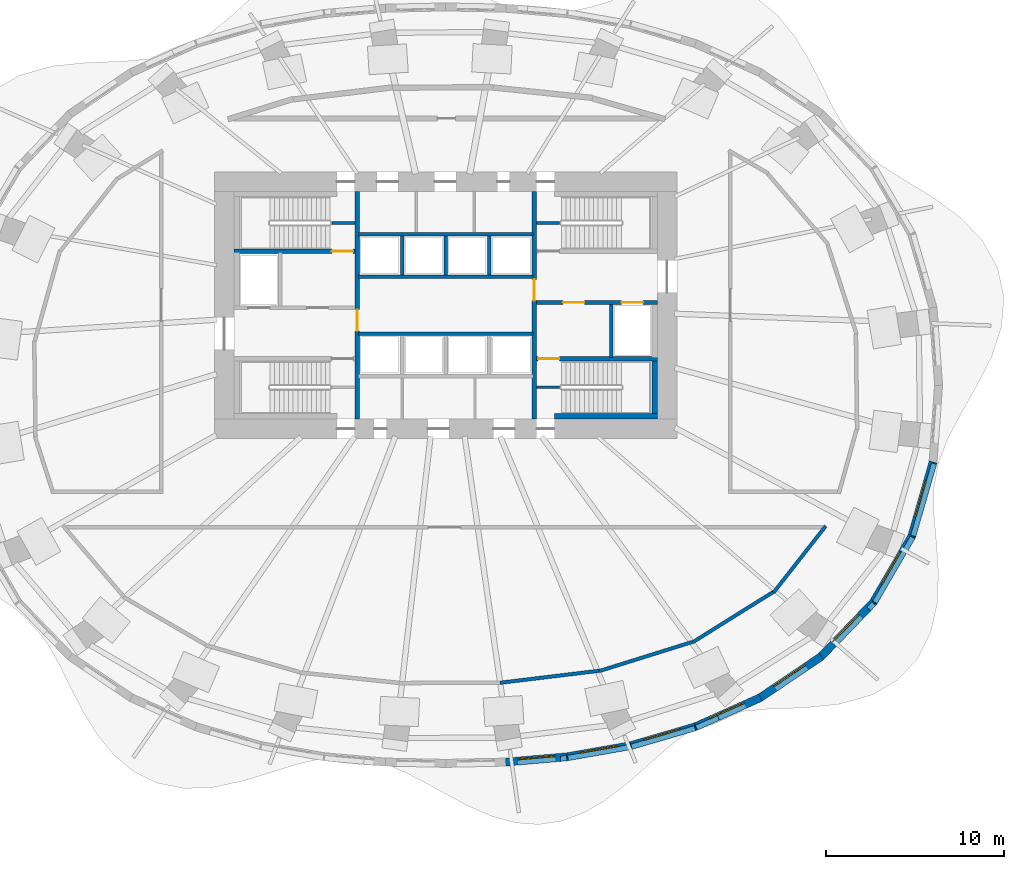
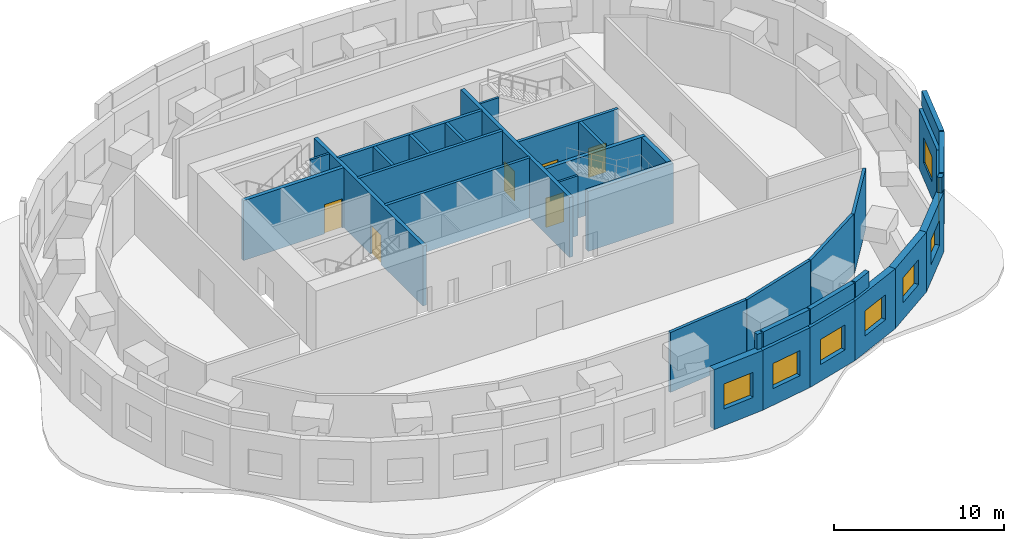
# One storey, part 5 of 9: 36 walls, 8 windows, 6 doors, 14 openings.
"""IFC4 building model written with IfcOpenShell, lengths in metres."""

from ifc_helpers import new_model, si_unit, direction, frame, frame_2d, origin, place, context, subcontext, project, spatial, rectangle, extrude, material, layer, layer_set, type_object, element, fill, save


model = new_model("IFC4")

# Units and contexts
model_context = context("Model", 3, precision=1e-05, world=origin(), true_north=direction((0.0, 1.0)))
body_context = subcontext(model_context, "Body", "Model", "MODEL_VIEW")
ifc_project = project(units=[si_unit("LENGTHUNIT", "METRE"), si_unit("AREAUNIT", "SQUARE_METRE"), si_unit("VOLUMEUNIT", "CUBIC_METRE"), si_unit("PLANEANGLEUNIT", "RADIAN"), si_unit("MASSUNIT", "GRAM", prefix="KILO")], contexts=[model_context])

# Site, building, storey
site_placement = place(None, origin())
site = spatial("IfcSite", under=ifc_project, at=site_placement, CompositionType="ELEMENT")
building_placement = place(site_placement, origin())
building = spatial("IfcBuilding", under=site, at=building_placement, Name="Rubra Terraces Tower", CompositionType="ELEMENT")
storey_placement = place(building_placement, frame((0.0, 0.0, 77.10009765625)))
storey = spatial("IfcBuildingStorey", under=building, at=storey_placement, Name="L17", CompositionType="ELEMENT", Elevation=77.10009765625)

# Wall, opening, window
ifc_material_1 = material(Name="Brick masonry red-brown", Category="masonry")
ifc_layer_1 = layer(ifc_material_1, 0.449951171875)
ifc_layer_set_1 = layer_set([ifc_layer_1], Name="Brick masonry red-brown")
wall_type_1 = type_object("IfcWallType", Name="Brick facade wall 450", PredefinedType="SOLIDWALL", material=ifc_layer_set_1)
wall_1_placement = place(storey_placement, frame((3.37451171875, -21.202880859375, 0.0), z_axis=(0.0, 0.0, 1.0), x_axis=(0.99625818993, 0.086426957587, 0.0)))
wall_1 = element("IfcWall", 1, at=wall_1_placement, inside=storey, type_object=wall_type_1, Name="Facade wall L17 bay 32", PredefinedType="SOLIDWALL", context=body_context, shape_type="SweptSolid", body=[
    extrude(rectangle(XDim=3.48291015625, YDim=0.449951171875, at=frame_2d((1.741455078125, 0.0))), origin(), (0.0, 0.0, 1.0), 4.2998046875),
])
opening_1_placement = place(wall_1_placement, frame((0.69140625, 0.0, 1.199951171875)))
opening_1 = element("IfcOpeningElement", 2, at=opening_1_placement, cuts=wall_1, Name="Opening W4", PredefinedType="OPENING", context=body_context, shape_type="SweptSolid", body=[
    extrude(rectangle(XDim=2.10009765625, YDim=1.800048828125, at=frame_2d((1.050048828125, 0.89990234375))), frame((0.0, 0.23486328125, 0.0), z_axis=(0.0, -1.0, 0.0), x_axis=(1.0, 0.0, 0.0)), (0.0, 0.0, 1.0), 0.469970703125),
])
ifc_material_2 = material(Name="Clear glass in aluminium frame", Category="aluminium")
window_type = type_object("IfcWindowType", Name="Louvred plant window 2100 x 1800", PartitioningType="SINGLE_PANEL", PredefinedType="WINDOW", material=ifc_material_2)
window_1_placement = place(opening_1_placement, origin())
window_1 = element("IfcWindow", 3, at=window_1_placement, inside=storey, type_object=window_type, Name="Window L17 bay 32", OverallHeight=1.800048828125, OverallWidth=2.10009765625, PartitioningType="SINGLE_PANEL", PredefinedType="WINDOW", context=body_context, shape_type="SweptSolid", body=[
    extrude(rectangle(XDim=2.10009765625, YDim=1.800048828125, at=frame_2d((1.050048828125, 0.89990234375))), frame((0.0, 0.135009765625, 0.0), z_axis=(0.0, -1.0, 0.0), x_axis=(1.0, 0.0, 0.0)), (0.0, 0.0, 1.0), 0.06005859375),
])
fill(opening_1, window_1)

wall_2_placement = place(storey_placement, frame((6.8251953125, -20.904296875, 0.0), z_axis=(0.0, 0.0, 1.0), x_axis=(0.984962239205, 0.172769752386, 0.0)))
wall_2 = element("IfcWall", 4, at=wall_2_placement, inside=storey, type_object=wall_type_1, Name="Facade wall L17 bay 33", PredefinedType="SOLIDWALL", context=body_context, shape_type="SweptSolid", body=[
    extrude(rectangle(XDim=3.634521484375, YDim=0.449951171875, at=frame_2d((1.8173828125, 0.0))), origin(), (0.0, 0.0, 1.0), 4.2998046875),
])
opening_2_placement = place(wall_2_placement, frame((0.767333984375, 0.0, 1.199951171875)))
opening_2 = element("IfcOpeningElement", 5, at=opening_2_placement, cuts=wall_2, Name="Opening W4", PredefinedType="OPENING", context=body_context, shape_type="SweptSolid", body=[
    extrude(rectangle(XDim=2.10009765625, YDim=1.800048828125, at=frame_2d((1.050048828125, 0.89990234375))), frame((0.0, 0.23486328125, 0.0), z_axis=(0.0, -1.0, 0.0), x_axis=(1.0, 0.0, 0.0)), (0.0, 0.0, 1.0), 0.469970703125),
])
window_2_placement = place(opening_2_placement, origin())
window_2 = element("IfcWindow", 6, at=window_2_placement, inside=storey, type_object=window_type, Name="Window L17 bay 33", OverallHeight=1.800048828125, OverallWidth=2.10009765625, PartitioningType="SINGLE_PANEL", PredefinedType="WINDOW", context=body_context, shape_type="SweptSolid", body=[
    extrude(rectangle(XDim=2.10009765625, YDim=1.800048828125, at=frame_2d((1.050048828125, 0.89990234375))), frame((0.0, 0.135009765625, 0.0), z_axis=(0.0, -1.0, 0.0), x_axis=(1.0, 0.0, 0.0)), (0.0, 0.0, 1.0), 0.06005859375),
])
fill(opening_2, window_2)

wall_3_placement = place(storey_placement, frame((10.381103515625, -20.281982421875, 0.0), z_axis=(0.0, 0.0, 1.0), x_axis=(0.960131452472, 0.279548911594, 0.0)))
wall_3 = element("IfcWall", 7, at=wall_3_placement, inside=storey, type_object=wall_type_1, Name="Facade wall L17 bay 34", PredefinedType="SOLIDWALL", context=body_context, shape_type="SweptSolid", body=[
    extrude(rectangle(XDim=3.824462890625, YDim=0.449951171875, at=frame_2d((1.912109375, 0.0))), origin(), (0.0, 0.0, 1.0), 4.2998046875),
])
opening_3_placement = place(wall_3_placement, frame((0.8623046875, 0.0, 1.199951171875)))
opening_3 = element("IfcOpeningElement", 8, at=opening_3_placement, cuts=wall_3, Name="Opening W4", PredefinedType="OPENING", context=body_context, shape_type="SweptSolid", body=[
    extrude(rectangle(XDim=2.10009765625, YDim=1.800048828125, at=frame_2d((1.050048828125, 0.89990234375))), frame((0.0, 0.23486328125, 0.0), z_axis=(0.0, -1.0, 0.0), x_axis=(1.0, 0.0, 0.0)), (0.0, 0.0, 1.0), 0.469970703125),
])
window_3_placement = place(opening_3_placement, origin())
window_3 = element("IfcWindow", 9, at=window_3_placement, inside=storey, type_object=window_type, Name="Window L17 bay 34", OverallHeight=1.800048828125, OverallWidth=2.10009765625, PartitioningType="SINGLE_PANEL", PredefinedType="WINDOW", context=body_context, shape_type="SweptSolid", body=[
    extrude(rectangle(XDim=2.10009765625, YDim=1.800048828125, at=frame_2d((1.050048828125, 0.89990234375))), frame((0.0, 0.135009765625, 0.0), z_axis=(0.0, -1.0, 0.0), x_axis=(1.0, 0.0, 0.0)), (0.0, 0.0, 1.0), 0.06005859375),
])
fill(opening_3, window_3)

wall_4_placement = place(storey_placement, frame((14.02392578125, -19.2236328125, 0.0), z_axis=(0.0, 0.0, 1.0), x_axis=(0.912580432801, 0.408897240966, 0.0)))
wall_4 = element("IfcWall", 10, at=wall_4_placement, inside=storey, type_object=wall_type_1, Name="Facade wall L17 bay 35", PredefinedType="SOLIDWALL", context=body_context, shape_type="SweptSolid", body=[
    extrude(rectangle(XDim=4.020751953125, YDim=0.449951171875, at=frame_2d((2.01025390625, 0.0))), origin(), (0.0, 0.0, 1.0), 4.2998046875),
])
opening_4_placement = place(wall_4_placement, frame((0.960205078125, 0.0, 1.199951171875)))
opening_4 = element("IfcOpeningElement", 11, at=opening_4_placement, cuts=wall_4, Name="Opening W4", PredefinedType="OPENING", context=body_context, shape_type="SweptSolid", body=[
    extrude(rectangle(XDim=2.10009765625, YDim=1.800048828125, at=frame_2d((1.050048828125, 0.89990234375))), frame((0.0, 0.23486328125, 0.0), z_axis=(0.0, -1.0, 0.0), x_axis=(1.0, 0.0, 0.0)), (0.0, 0.0, 1.0), 0.469970703125),
])
window_4_placement = place(opening_4_placement, origin())
window_4 = element("IfcWindow", 12, at=window_4_placement, inside=storey, type_object=window_type, Name="Window L17 bay 35", OverallHeight=1.800048828125, OverallWidth=2.10009765625, PartitioningType="SINGLE_PANEL", PredefinedType="WINDOW", context=body_context, shape_type="SweptSolid", body=[
    extrude(rectangle(XDim=2.10009765625, YDim=1.800048828125, at=frame_2d((1.050048828125, 0.89990234375))), frame((0.0, 0.135009765625, 0.0), z_axis=(0.0, -1.0, 0.0), x_axis=(1.0, 0.0, 0.0)), (0.0, 0.0, 1.0), 0.06005859375),
])
fill(opening_4, window_4)

wall_5_placement = place(storey_placement, frame((17.6591796875, -17.598388671875, 0.0), z_axis=(0.0, 0.0, 1.0), x_axis=(0.829077786947, 0.559133278557, 0.0)))
wall_5 = element("IfcWall", 13, at=wall_5_placement, inside=storey, type_object=wall_type_1, Name="Facade wall L17 bay 36", PredefinedType="SOLIDWALL", context=body_context, shape_type="SweptSolid", body=[
    extrude(rectangle(XDim=4.1865234375, YDim=0.449951171875, at=frame_2d((2.09326171875, 0.0))), origin(), (0.0, 0.0, 1.0), 4.2998046875),
])
opening_5_placement = place(wall_5_placement, frame((1.043212890625, 0.0, 1.199951171875)))
opening_5 = element("IfcOpeningElement", 14, at=opening_5_placement, cuts=wall_5, Name="Opening W4", PredefinedType="OPENING", context=body_context, shape_type="SweptSolid", body=[
    extrude(rectangle(XDim=2.10009765625, YDim=1.800048828125, at=frame_2d((1.050048828125, 0.89990234375))), frame((0.0, 0.23486328125, 0.0), z_axis=(0.0, -1.0, 0.0), x_axis=(1.0, 0.0, 0.0)), (0.0, 0.0, 1.0), 0.469970703125),
])
window_5_placement = place(opening_5_placement, origin())
window_5 = element("IfcWindow", 15, at=window_5_placement, inside=storey, type_object=window_type, Name="Window L17 bay 36", OverallHeight=1.800048828125, OverallWidth=2.10009765625, PartitioningType="SINGLE_PANEL", PredefinedType="WINDOW", context=body_context, shape_type="SweptSolid", body=[
    extrude(rectangle(XDim=2.10009765625, YDim=1.800048828125, at=frame_2d((1.050048828125, 0.89990234375))), frame((0.0, 0.135009765625, 0.0), z_axis=(0.0, -1.0, 0.0), x_axis=(1.0, 0.0, 0.0)), (0.0, 0.0, 1.0), 0.06005859375),
])
fill(opening_5, window_5)

wall_6_placement = place(storey_placement, frame((21.093994140625, -15.287841796875, 0.0), z_axis=(0.0, 0.0, 1.0), x_axis=(0.69406513137, 0.719912212298, 0.0)))
wall_6 = element("IfcWall", 16, at=wall_6_placement, inside=storey, type_object=wall_type_1, Name="Facade wall L17 bay 37", PredefinedType="SOLIDWALL", context=body_context, shape_type="SweptSolid", body=[
    extrude(rectangle(XDim=4.2978515625, YDim=0.449951171875, at=frame_2d((2.14892578125, 0.0))), origin(), (0.0, 0.0, 1.0), 4.2998046875),
])
opening_6_placement = place(wall_6_placement, frame((1.098876953125, 0.0, 1.199951171875)))
opening_6 = element("IfcOpeningElement", 17, at=opening_6_placement, cuts=wall_6, Name="Opening W4", PredefinedType="OPENING", context=body_context, shape_type="SweptSolid", body=[
    extrude(rectangle(XDim=2.10009765625, YDim=1.800048828125, at=frame_2d((1.050048828125, 0.89990234375))), frame((0.0, 0.23486328125, 0.0), z_axis=(0.0, -1.0, 0.0), x_axis=(1.0, 0.0, 0.0)), (0.0, 0.0, 1.0), 0.469970703125),
])
window_6_placement = place(opening_6_placement, origin())
window_6 = element("IfcWindow", 18, at=window_6_placement, inside=storey, type_object=window_type, Name="Window L17 bay 37", OverallHeight=1.800048828125, OverallWidth=2.10009765625, PartitioningType="SINGLE_PANEL", PredefinedType="WINDOW", context=body_context, shape_type="SweptSolid", body=[
    extrude(rectangle(XDim=2.10009765625, YDim=1.800048828125, at=frame_2d((1.050048828125, 0.89990234375))), frame((0.0, 0.135009765625, 0.0), z_axis=(0.0, -1.0, 0.0), x_axis=(1.0, 0.0, 0.0)), (0.0, 0.0, 1.0), 0.06005859375),
])
fill(opening_6, window_6)

wall_7_placement = place(storey_placement, frame((24.04443359375, -12.237060546875, 0.0), z_axis=(0.0, 0.0, 1.0), x_axis=(0.502203169453, 0.864749661227, 0.0)))
wall_7 = element("IfcWall", 19, at=wall_7_placement, inside=storey, type_object=wall_type_1, Name="Facade wall L17 bay 38", PredefinedType="SOLIDWALL", context=body_context, shape_type="SweptSolid", body=[
    extrude(rectangle(XDim=4.352783203125, YDim=0.449951171875, at=frame_2d((2.17626953125, 0.0))), origin(), (0.0, 0.0, 1.0), 4.2998046875),
])
opening_7_placement = place(wall_7_placement, frame((1.12646484375, 0.0, 1.199951171875)))
opening_7 = element("IfcOpeningElement", 20, at=opening_7_placement, cuts=wall_7, Name="Opening W4", PredefinedType="OPENING", context=body_context, shape_type="SweptSolid", body=[
    extrude(rectangle(XDim=2.10009765625, YDim=1.800048828125, at=frame_2d((1.050048828125, 0.89990234375))), frame((0.0, 0.23486328125, 0.0), z_axis=(0.0, -1.0, 0.0), x_axis=(1.0, 0.0, 0.0)), (0.0, 0.0, 1.0), 0.469970703125),
])
window_7_placement = place(opening_7_placement, origin())
window_7 = element("IfcWindow", 21, at=window_7_placement, inside=storey, type_object=window_type, Name="Window L17 bay 38", OverallHeight=1.800048828125, OverallWidth=2.10009765625, PartitioningType="SINGLE_PANEL", PredefinedType="WINDOW", context=body_context, shape_type="SweptSolid", body=[
    extrude(rectangle(XDim=2.10009765625, YDim=1.800048828125, at=frame_2d((1.050048828125, 0.89990234375))), frame((0.0, 0.135009765625, 0.0), z_axis=(0.0, -1.0, 0.0), x_axis=(1.0, 0.0, 0.0)), (0.0, 0.0, 1.0), 0.06005859375),
])
fill(opening_7, window_7)

wall_8_placement = place(storey_placement, frame((26.208740234375, -8.523681640625, 0.0), z_axis=(0.0, 0.0, 1.0), x_axis=(0.276281679347, 0.961076705397, 0.0)))
wall_8 = element("IfcWall", 22, at=wall_8_placement, inside=storey, type_object=wall_type_1, Name="Facade wall L17 bay 39", PredefinedType="SOLIDWALL", context=body_context, shape_type="SweptSolid", body=[
    extrude(rectangle(XDim=4.37939453125, YDim=0.449951171875, at=frame_2d((2.189697265625, 0.0))), origin(), (0.0, 0.0, 1.0), 4.2998046875),
])
opening_8_placement = place(wall_8_placement, frame((1.1396484375, 0.0, 1.199951171875)))
opening_8 = element("IfcOpeningElement", 23, at=opening_8_placement, cuts=wall_8, Name="Opening W4", PredefinedType="OPENING", context=body_context, shape_type="SweptSolid", body=[
    extrude(rectangle(XDim=2.10009765625, YDim=1.800048828125, at=frame_2d((1.050048828125, 0.89990234375))), frame((0.0, 0.23486328125, 0.0), z_axis=(0.0, -1.0, 0.0), x_axis=(1.0, 0.0, 0.0)), (0.0, 0.0, 1.0), 0.469970703125),
])
window_8_placement = place(opening_8_placement, origin())
window_8 = element("IfcWindow", 24, at=window_8_placement, inside=storey, type_object=window_type, Name="Window L17 bay 39", OverallHeight=1.800048828125, OverallWidth=2.10009765625, PartitioningType="SINGLE_PANEL", PredefinedType="WINDOW", context=body_context, shape_type="SweptSolid", body=[
    extrude(rectangle(XDim=2.10009765625, YDim=1.800048828125, at=frame_2d((1.050048828125, 0.89990234375))), frame((0.0, 0.135009765625, 0.0), z_axis=(0.0, -1.0, 0.0), x_axis=(1.0, 0.0, 0.0)), (0.0, 0.0, 1.0), 0.06005859375),
])
fill(opening_8, window_8)

# Walls
ifc_layer_2 = layer(ifc_material_1, 0.300048828125)
ifc_layer_set_2 = layer_set([ifc_layer_2], Name="Brick masonry red-brown")
wall_type_2 = type_object("IfcWallType", Name="Brick parapet 300", PredefinedType="PARAPET", material=ifc_layer_set_2)
wall_9_placement = place(storey_placement, frame((6.453125, -21.010986328125, 4.5), z_axis=(0.0, 0.0, 1.0), x_axis=(0.996266255014, 0.086333939568, 0.0)))
element("IfcWall", 25, at=wall_9_placement, inside=storey, type_object=wall_type_2, Name="Parapet L17 bay 32", PredefinedType="PARAPET", context=body_context, shape_type="SweptSolid", body=[
    extrude(rectangle(XDim=0.356201171875, YDim=0.300048828125, at=frame_2d((0.17822265625, 0.0))), origin(), (0.0, 0.0, 1.0), 1.099853515625),
])
wall_10_placement = place(storey_placement, frame((6.880615234375, -20.970703125, 4.5), z_axis=(0.0, 0.0, 1.0), x_axis=(0.984970182858, 0.172724459419, 0.0)))
element("IfcWall", 26, at=wall_10_placement, inside=storey, type_object=wall_type_2, Name="Parapet L17 bay 33", PredefinedType="PARAPET", context=body_context, shape_type="SweptSolid", body=[
    extrude(rectangle(XDim=3.544921875, YDim=0.300048828125, at=frame_2d((1.7724609375, 0.0))), origin(), (0.0, 0.0, 1.0), 1.099853515625),
])
wall_11_placement = place(storey_placement, frame((10.44677734375, -20.341064453125, 4.5), z_axis=(0.0, 0.0, 1.0), x_axis=(0.960145130593, 0.279501928792, 0.0)))
element("IfcWall", 27, at=wall_11_placement, inside=storey, type_object=wall_type_2, Name="Parapet L17 bay 34", PredefinedType="PARAPET", context=body_context, shape_type="SweptSolid", body=[
    extrude(rectangle(XDim=3.72705078125, YDim=0.300048828125, at=frame_2d((1.863525390625, 0.0))), origin(), (0.0, 0.0, 1.0), 1.099853515625),
])
wall_12_placement = place(storey_placement, frame((14.100830078125, -19.271484375, 4.5), z_axis=(0.0, 0.0, 1.0), x_axis=(0.912553319429, 0.408957747449, 0.0)))
element("IfcWall", 28, at=wall_12_placement, inside=storey, type_object=wall_type_2, Name="Parapet L17 bay 35", PredefinedType="PARAPET", context=body_context, shape_type="SweptSolid", body=[
    extrude(rectangle(XDim=1.35693359375, YDim=0.300048828125, at=frame_2d((0.678466796875, 0.0))), origin(), (0.0, 0.0, 1.0), 1.099853515625),
])
wall_13_placement = place(storey_placement, frame((23.80419921875, -12.5849609375, 4.5), z_axis=(0.0, 0.0, 1.0), x_axis=(0.694012708719, 0.719962749132, 0.0)))
element("IfcWall", 29, at=wall_13_placement, inside=storey, type_object=wall_type_2, Name="Parapet L17 bay 37", PredefinedType="PARAPET", context=body_context, shape_type="SweptSolid", body=[
    extrude(rectangle(XDim=0.404541015625, YDim=0.300048828125, at=frame_2d((0.2021484375, 0.0))), origin(), (0.0, 0.0, 1.0), 1.099853515625),
])
wall_14_placement = place(storey_placement, frame((24.142578125, -12.21728515625, 4.5), z_axis=(0.0, 0.0, 1.0), x_axis=(0.502258354831, 0.864717609976, 0.0)))
element("IfcWall", 30, at=wall_14_placement, inside=storey, type_object=wall_type_2, Name="Parapet L17 bay 38", PredefinedType="PARAPET", context=body_context, shape_type="SweptSolid", body=[
    extrude(rectangle(XDim=4.21923828125, YDim=0.300048828125, at=frame_2d((2.109619140625, 0.0))), origin(), (0.0, 0.0, 1.0), 1.099853515625),
])
wall_15_placement = place(storey_placement, frame((26.29931640625, -8.47998046875, 4.5), z_axis=(0.0, 0.0, 1.0), x_axis=(0.276312084061, 0.961067964403, 0.0)))
element("IfcWall", 31, at=wall_15_placement, inside=storey, type_object=wall_type_2, Name="Parapet L17 bay 39", PredefinedType="PARAPET", context=body_context, shape_type="SweptSolid", body=[
    extrude(rectangle(XDim=4.23486328125, YDim=0.300048828125, at=frame_2d((2.117431640625, 0.0))), origin(), (0.0, 0.0, 1.0), 1.099853515625),
])
ifc_material_3 = material(Name="Concrete C40", Category="concrete")
ifc_layer_3 = layer(ifc_material_3, 0.300048828125)
ifc_layer_set_3 = layer_set([ifc_layer_3], Name="Concrete C40")
wall_type_3 = type_object("IfcWallType", Name="Core lining wall 300 concrete", PredefinedType="SOLIDWALL", material=ifc_layer_set_3)
wall_16_placement = place(storey_placement, frame((11.75, 1.35009765625, 0.0), z_axis=(0.0, 0.0, 1.0), x_axis=(0.0, -1.0, 0.0)))
element("IfcWall", 32, at=wall_16_placement, inside=storey, type_object=wall_type_3, Name="CORE LINING WALL L17", PredefinedType="SOLIDWALL", context=body_context, shape_type="SweptSolid", body=[
    extrude(rectangle(XDim=2.9501953125, YDim=0.300048828125, at=frame_2d((1.47509765625, 0.0))), origin(), (0.0, 0.0, 1.0), 4.2998046875),
])
wall_17_placement = place(storey_placement, frame((11.89990234375, -1.75, 0.0), z_axis=(0.0, 0.0, 1.0), x_axis=(-1.0, 0.0, 0.0)))
element("IfcWall", 33, at=wall_17_placement, inside=storey, type_object=wall_type_3, Name="CORE LINING WALL L17", PredefinedType="SOLIDWALL", context=body_context, shape_type="SweptSolid", body=[
    extrude(rectangle(XDim=5.77978515625, YDim=0.300048828125, at=frame_2d((2.889892578125, 0.0))), origin(), (0.0, 0.0, 1.0), 4.2998046875),
])

# Wall, openings, doors
ifc_material_4 = material(Name="Concrete C30", Category="concrete")
ifc_layer_4 = layer(ifc_material_4, 0.199951171875)
ifc_layer_set_4 = layer_set([ifc_layer_4], Name="Concrete C30")
wall_type_4 = type_object("IfcWallType", Name="Core wall 200 concrete", PredefinedType="SOLIDWALL", material=ifc_layer_set_4)
wall_18_placement = place(storey_placement, frame((11.89990234375, 4.64990234375, 0.0), z_axis=(0.0, 0.0, 1.0), x_axis=(-1.0, 0.0, 0.0)))
wall_18 = element("IfcWall", 34, at=wall_18_placement, inside=storey, type_object=wall_type_4, Name="STAIR WALL L17", PredefinedType="SOLIDWALL", context=body_context, shape_type="SweptSolid", body=[
    extrude(rectangle(XDim=6.7998046875, YDim=0.199951171875, at=frame_2d((3.39990234375, 0.0))), origin(), (0.0, 0.0, 1.0), 4.2998046875),
])
opening_9_placement = place(wall_18_placement, frame((4.10009765625, 0.0, 0.0)))
opening_9 = element("IfcOpeningElement", 35, at=opening_9_placement, cuts=wall_18, Name="Opening L17.C06", PredefinedType="OPENING", context=body_context, shape_type="SweptSolid", body=[
    extrude(rectangle(XDim=1.199951171875, YDim=2.10009765625, at=frame_2d((0.60009765625, 1.050048828125))), frame((0.0, 0.10986328125, 0.0), z_axis=(0.0, -1.0, 0.0), x_axis=(1.0, 0.0, 0.0)), (0.0, 0.0, 1.0), 0.219970703125),
])
opening_10_placement = place(wall_18_placement, frame((0.800048828125, 0.0, 0.0)))
opening_10 = element("IfcOpeningElement", 36, at=opening_10_placement, cuts=wall_18, Name="Opening L17.C12", PredefinedType="OPENING", context=body_context, shape_type="SweptSolid", body=[
    extrude(rectangle(XDim=1.199951171875, YDim=2.10009765625, at=frame_2d((0.60009765625, 1.050048828125))), frame((0.0, 0.10986328125, 0.0), z_axis=(0.0, -1.0, 0.0), x_axis=(1.0, 0.0, 0.0)), (0.0, 0.0, 1.0), 0.219970703125),
])
ifc_material_5 = material(Name="Painted steel", Category="steel")
door_type_1 = type_object("IfcDoorType", Name="Fire door 1200x2100 single", OperationType="NOTDEFINED", PredefinedType="DOOR", material=ifc_material_5)
door_1_placement = place(opening_9_placement, origin())
door_1 = element("IfcDoor", 37, at=door_1_placement, inside=storey, type_object=door_type_1, Name="Stair vestibule door S4", OperationType="SINGLE_SWING_RIGHT", OverallHeight=2.10009765625, OverallWidth=1.199951171875, PredefinedType="DOOR", context=body_context, shape_type="SweptSolid", body=[
    extrude(rectangle(XDim=1.199951171875, YDim=2.10009765625, at=frame_2d((0.60009765625, 1.050048828125))), frame((0.0, 0.02490234375, 0.0), z_axis=(0.0, -1.0, 0.0), x_axis=(1.0, 0.0, 0.0)), (0.0, 0.0, 1.0), 0.050048828125),
])
fill(opening_9, door_1)
ifc_material_6 = material(Name="Stainless steel", Category="steel")
door_type_2 = type_object("IfcDoorType", Name="Lift landing door 1200x2100", OperationType="NOTDEFINED", PredefinedType="DOOR", material=ifc_material_6)
door_2_placement = place(opening_10_placement, origin())
door_2 = element("IfcDoor", 38, at=door_2_placement, inside=storey, type_object=door_type_2, Name="Landing door FF2", OperationType="SLIDING_TO_RIGHT", OverallHeight=2.10009765625, OverallWidth=1.199951171875, PredefinedType="DOOR", context=body_context, shape_type="SweptSolid", body=[
    extrude(rectangle(XDim=1.199951171875, YDim=2.10009765625, at=frame_2d((0.60009765625, 1.050048828125))), frame((0.0, 0.02490234375, 0.0), z_axis=(0.0, -1.0, 0.0), x_axis=(1.0, 0.0, 0.0)), (0.0, 0.0, 1.0), 0.050048828125),
])
fill(opening_10, door_2)

# Walls
wall_19_placement = place(storey_placement, frame((9.300048828125, 4.550048828125, 0.0), z_axis=(0.0, 0.0, 1.0), x_axis=(0.0, -1.0, 0.0)))
element("IfcWall", 39, at=wall_19_placement, inside=storey, type_object=wall_type_4, Name="STAIR WALL L17", PredefinedType="SOLIDWALL", context=body_context, shape_type="SweptSolid", body=[
    extrude(rectangle(XDim=3.0, YDim=0.199951171875, at=frame_2d((1.5, 0.0))), origin(), (0.0, 0.0, 1.0), 4.2998046875),
])
for number, where, z_axis, x_axis, name in (
    (40, (-4.89990234375, 2.89990234375, 0.0), (0.0, 0.0, 1.0), (1.0, 0.0, 0.0), "LIFT SHAFT WALL L17"),
    (41, (-4.89990234375, 6.10009765625, 0.0), (0.0, 0.0, 1.0), (1.0, 0.0, 0.0), "LIFT SHAFT WALL L17"),
    (42, (-4.89990234375, 8.5, 0.0), (0.0, 0.0, 1.0), (1.0, 0.0, 0.0), "LIFT SHAFT WALL L17"),
):
    element("IfcWall", number, at=place(storey_placement, frame(where, z_axis=z_axis, x_axis=x_axis)), inside=storey, type_object=wall_type_4, Name=name, PredefinedType="SOLIDWALL", context=body_context, shape_type="SweptSolid", body=[
        extrude(rectangle(XDim=9.7998046875, YDim=0.199951171875, at=frame_2d((4.89990234375, 0.0))), origin(), (0.0, 0.0, 1.0), 4.2998046875),
    ])
for number, where, z_axis, x_axis, name in (
    (43, (-2.449951171875, 6.199951171875, 0.0), (0.0, 0.0, 1.0), (0.0, 1.0, 0.0), "LIFT SHAFT WALL L17"),
    (44, (0.0, 6.199951171875, 0.0), (0.0, 0.0, 1.0), (0.0, 1.0, 0.0), "LIFT SHAFT WALL L17"),
    (45, (2.449951171875, 6.199951171875, 0.0), (0.0, 0.0, 1.0), (0.0, 1.0, 0.0), "LIFT SHAFT WALL L17"),
):
    element("IfcWall", number, at=place(storey_placement, frame(where, z_axis=z_axis, x_axis=x_axis)), inside=storey, type_object=wall_type_4, Name=name, PredefinedType="SOLIDWALL", context=body_context, shape_type="SweptSolid", body=[
        extrude(rectangle(XDim=2.199951171875, YDim=0.199951171875, at=frame_2d((1.10009765625, 0.0))), origin(), (0.0, 0.0, 1.0), 4.2998046875),
    ])
ifc_material_7 = material(Name="Blockwork", Category="masonry")
ifc_layer_5 = layer(ifc_material_7, 0.199951171875)
ifc_layer_set_5 = layer_set([ifc_layer_5], Name="Blockwork")
wall_type_5 = type_object("IfcWallType", Name="Corridor partition 200 blockwork", PredefinedType="PARTITIONING", material=ifc_layer_set_5)
wall_20_placement = place(storey_placement, frame((21.3779296875, -7.9208984375, 0.0), z_axis=(0.0, 0.0, 1.0), x_axis=(-0.61707944402, -0.786900857649, 0.0)))
element("IfcWall", 46, at=wall_20_placement, inside=storey, type_object=wall_type_5, Name="Partition wall", PredefinedType="PARTITIONING", context=body_context, shape_type="SweptSolid", body=[
    extrude(rectangle(XDim=4.7529296875, YDim=0.199951171875, at=frame_2d((2.37646484375, 0.0))), origin(), (0.0, 0.0, 1.0), 4.2998046875),
])
wall_21_placement = place(storey_placement, frame((18.422119140625, -11.635009765625, 0.0), z_axis=(0.0, 0.0, 1.0), x_axis=(-0.848223876435, -0.529637853108, 0.0)))
element("IfcWall", 47, at=wall_21_placement, inside=storey, type_object=wall_type_5, Name="Partition wall", PredefinedType="PARTITIONING", context=body_context, shape_type="SweptSolid", body=[
    extrude(rectangle(XDim=5.348876953125, YDim=0.199951171875, at=frame_2d((2.67431640625, 0.0))), origin(), (0.0, 0.0, 1.0), 4.2998046875),
])
wall_22_placement = place(storey_placement, frame((13.875, -14.445068359375, 0.0), z_axis=(0.0, 0.0, 1.0), x_axis=(-0.954489463941, -0.298244636541, 0.0)))
element("IfcWall", 48, at=wall_22_placement, inside=storey, type_object=wall_type_5, Name="Partition wall", PredefinedType="PARTITIONING", context=body_context, shape_type="SweptSolid", body=[
    extrude(rectangle(XDim=5.4951171875, YDim=0.199951171875, at=frame_2d((2.74755859375, 0.0))), origin(), (0.0, 0.0, 1.0), 4.2998046875),
])
wall_23_placement = place(storey_placement, frame((8.6259765625, -16.06591796875, 0.0), z_axis=(0.0, 0.0, 1.0), x_axis=(-0.992720392358, -0.120441780942, 0.0)))
element("IfcWall", 49, at=wall_23_placement, inside=storey, type_object=wall_type_5, Name="Partition wall", PredefinedType="PARTITIONING", context=body_context, shape_type="SweptSolid", body=[
    extrude(rectangle(XDim=5.61279296875, YDim=0.199951171875, at=frame_2d((2.806396484375, 0.0))), origin(), (0.0, 0.0, 1.0), 4.2998046875),
])

# Wall, opening, door
ifc_layer_6 = layer(ifc_material_3, 0.25)
ifc_layer_set_6 = layer_set([ifc_layer_6], Name="Concrete C40")
wall_type_6 = type_object("IfcWallType", Name="Stair enclosure wall 250 concrete", PredefinedType="SOLIDWALL", material=ifc_layer_set_6)
wall_24_placement = place(storey_placement, frame((-11.89990234375, 7.52490234375, 0.0), z_axis=(0.0, 0.0, 1.0), x_axis=(1.0, 0.0, 0.0)))
wall_24 = element("IfcWall", 50, at=wall_24_placement, inside=storey, type_object=wall_type_6, Name="STAIR WALL L17", PredefinedType="SOLIDWALL", context=body_context, shape_type="SweptSolid", body=[
    extrude(rectangle(XDim=6.7998046875, YDim=0.25, at=frame_2d((3.39990234375, 0.0))), origin(), (0.0, 0.0, 1.0), 4.2998046875),
])
opening_11_placement = place(wall_24_placement, frame((5.5, 0.0, 0.0)))
opening_11 = element("IfcOpeningElement", 51, at=opening_11_placement, cuts=wall_24, Name="Opening L17.C09", PredefinedType="OPENING", context=body_context, shape_type="SweptSolid", body=[
    extrude(rectangle(XDim=1.199951171875, YDim=2.10009765625, at=frame_2d((0.60009765625, 1.050048828125))), frame((0.0, 0.135009765625, 0.0), z_axis=(0.0, -1.0, 0.0), x_axis=(1.0, 0.0, 0.0)), (0.0, 0.0, 1.0), 0.27001953125),
])
door_3_placement = place(opening_11_placement, origin())
door_3 = element("IfcDoor", 52, at=door_3_placement, inside=storey, type_object=door_type_1, Name="Stair door S2", OperationType="SINGLE_SWING_LEFT", OverallHeight=2.10009765625, OverallWidth=1.199951171875, PredefinedType="DOOR", context=body_context, shape_type="SweptSolid", body=[
    extrude(rectangle(XDim=1.199951171875, YDim=2.10009765625, at=frame_2d((0.60009765625, 1.050048828125))), frame((0.0, 0.02490234375, 0.0), z_axis=(0.0, -1.0, 0.0), x_axis=(1.0, 0.0, 0.0)), (0.0, 0.0, 1.0), 0.050048828125),
])
fill(opening_11, door_3)

wall_25_placement = place(storey_placement, frame((11.89990234375, 1.47509765625, 0.0), z_axis=(0.0, 0.0, 1.0), x_axis=(-1.0, 0.0, 0.0)))
wall_25 = element("IfcWall", 53, at=wall_25_placement, inside=storey, type_object=wall_type_6, Name="STAIR WALL L17", PredefinedType="SOLIDWALL", context=body_context, shape_type="SweptSolid", body=[
    extrude(rectangle(XDim=6.7998046875, YDim=0.25, at=frame_2d((3.39990234375, 0.0))), origin(), (0.0, 0.0, 1.0), 4.2998046875),
])
opening_12_placement = place(wall_25_placement, frame((5.5, 0.0, 0.0)))
opening_12 = element("IfcOpeningElement", 54, at=opening_12_placement, cuts=wall_25, Name="Opening L17.C10", PredefinedType="OPENING", context=body_context, shape_type="SweptSolid", body=[
    extrude(rectangle(XDim=1.199951171875, YDim=2.10009765625, at=frame_2d((0.60009765625, 1.050048828125))), frame((0.0, 0.135009765625, 0.0), z_axis=(0.0, -1.0, 0.0), x_axis=(1.0, 0.0, 0.0)), (0.0, 0.0, 1.0), 0.27001953125),
])
door_4_placement = place(opening_12_placement, origin())
door_4 = element("IfcDoor", 55, at=door_4_placement, inside=storey, type_object=door_type_1, Name="Stair door S4", OperationType="SINGLE_SWING_RIGHT", OverallHeight=2.10009765625, OverallWidth=1.199951171875, PredefinedType="DOOR", context=body_context, shape_type="SweptSolid", body=[
    extrude(rectangle(XDim=1.199951171875, YDim=2.10009765625, at=frame_2d((0.60009765625, 1.050048828125))), frame((0.0, 0.02490234375, 0.0), z_axis=(0.0, -1.0, 0.0), x_axis=(1.0, 0.0, 0.0)), (0.0, 0.0, 1.0), 0.050048828125),
])
fill(opening_12, door_4)

wall_26_placement = place(storey_placement, frame((-4.97509765625, -1.89990234375, 0.0), z_axis=(0.0, 0.0, 1.0), x_axis=(0.0, 1.0, 0.0)))
wall_26 = element("IfcWall", 56, at=wall_26_placement, inside=storey, type_object=wall_type_6, Name="CORE LOBBY WALL L17", PredefinedType="SOLIDWALL", context=body_context, shape_type="SweptSolid", body=[
    extrude(rectangle(XDim=12.7998046875, YDim=0.25, at=frame_2d((6.39990234375, 0.0))), origin(), (0.0, 0.0, 1.0), 4.2998046875),
])
opening_13_placement = place(wall_26_placement, frame((4.949951171875, 0.0, 0.0)))
opening_13 = element("IfcOpeningElement", 57, at=opening_13_placement, cuts=wall_26, Name="Opening L17.C03", PredefinedType="OPENING", context=body_context, shape_type="SweptSolid", body=[
    extrude(rectangle(XDim=1.199951171875, YDim=2.10009765625, at=frame_2d((0.60009765625, 1.050048828125))), frame((0.0, 0.135009765625, 0.0), z_axis=(0.0, -1.0, 0.0), x_axis=(1.0, 0.0, 0.0)), (0.0, 0.0, 1.0), 0.27001953125),
])
door_5_placement = place(opening_13_placement, origin())
door_5 = element("IfcDoor", 58, at=door_5_placement, inside=storey, type_object=door_type_1, Name="Firefighting lobby door FF1", OperationType="SINGLE_SWING_LEFT", OverallHeight=2.10009765625, OverallWidth=1.199951171875, PredefinedType="DOOR", context=body_context, shape_type="SweptSolid", body=[
    extrude(rectangle(XDim=1.199951171875, YDim=2.10009765625, at=frame_2d((0.60009765625, 1.050048828125))), frame((0.0, 0.02490234375, 0.0), z_axis=(0.0, -1.0, 0.0), x_axis=(1.0, 0.0, 0.0)), (0.0, 0.0, 1.0), 0.050048828125),
])
fill(opening_13, door_5)

wall_27_placement = place(storey_placement, frame((4.97509765625, 10.89990234375, 0.0), z_axis=(0.0, 0.0, 1.0), x_axis=(0.0, -1.0, 0.0)))
wall_27 = element("IfcWall", 59, at=wall_27_placement, inside=storey, type_object=wall_type_6, Name="CORE LOBBY WALL L17", PredefinedType="SOLIDWALL", context=body_context, shape_type="SweptSolid", body=[
    extrude(rectangle(XDim=12.7998046875, YDim=0.25, at=frame_2d((6.39990234375, 0.0))), origin(), (0.0, 0.0, 1.0), 4.2998046875),
])
opening_14_placement = place(wall_27_placement, frame((4.949951171875, 0.0, 0.0)))
opening_14 = element("IfcOpeningElement", 60, at=opening_14_placement, cuts=wall_27, Name="Opening L17.C04", PredefinedType="OPENING", context=body_context, shape_type="SweptSolid", body=[
    extrude(rectangle(XDim=1.199951171875, YDim=2.10009765625, at=frame_2d((0.60009765625, 1.050048828125))), frame((0.0, 0.135009765625, 0.0), z_axis=(0.0, -1.0, 0.0), x_axis=(1.0, 0.0, 0.0)), (0.0, 0.0, 1.0), 0.27001953125),
])
door_6_placement = place(opening_14_placement, origin())
door_6 = element("IfcDoor", 61, at=door_6_placement, inside=storey, type_object=door_type_1, Name="Firefighting lobby door FF2", OperationType="SINGLE_SWING_RIGHT", OverallHeight=2.10009765625, OverallWidth=1.199951171875, PredefinedType="DOOR", context=body_context, shape_type="SweptSolid", body=[
    extrude(rectangle(XDim=1.199951171875, YDim=2.10009765625, at=frame_2d((0.60009765625, 1.050048828125))), frame((0.0, 0.02490234375, 0.0), z_axis=(0.0, -1.0, 0.0), x_axis=(1.0, 0.0, 0.0)), (0.0, 0.0, 1.0), 0.050048828125),
])
fill(opening_14, door_6)

# Walls
ifc_layer_7 = layer(ifc_material_3, 0.14990234375)
ifc_layer_set_7 = layer_set([ifc_layer_7], Name="Concrete C40")
wall_type_7 = type_object("IfcWallType", Name="Stair separation wall 150 concrete", PredefinedType="SOLIDWALL", material=ifc_layer_set_7)
for number, where, z_axis, x_axis, name in (
    (62, (6.39990234375, 9.125, 0.0), (0.0, 0.0, 1.0), (-1.0, 0.0, 0.0), "STAIR SEPARATION WALL L17"),
    (63, (-6.39990234375, 9.125, 0.0), (0.0, 0.0, 1.0), (1.0, 0.0, 0.0), "STAIR SEPARATION WALL L17"),
    (64, (6.39990234375, -0.125, 0.0), (0.0, 0.0, 1.0), (-1.0, 0.0, 0.0), "STAIR SEPARATION WALL L17"),
):
    element("IfcWall", number, at=place(storey_placement, frame(where, z_axis=z_axis, x_axis=x_axis)), inside=storey, type_object=wall_type_7, Name=name, PredefinedType="SOLIDWALL", context=body_context, shape_type="SweptSolid", body=[
        extrude(rectangle(XDim=1.2998046875, YDim=0.14990234375, at=frame_2d((0.64990234375, 0.0))), origin(), (0.0, 0.0, 1.0), 4.2998046875),
    ])

save(model, "model.ifc")
